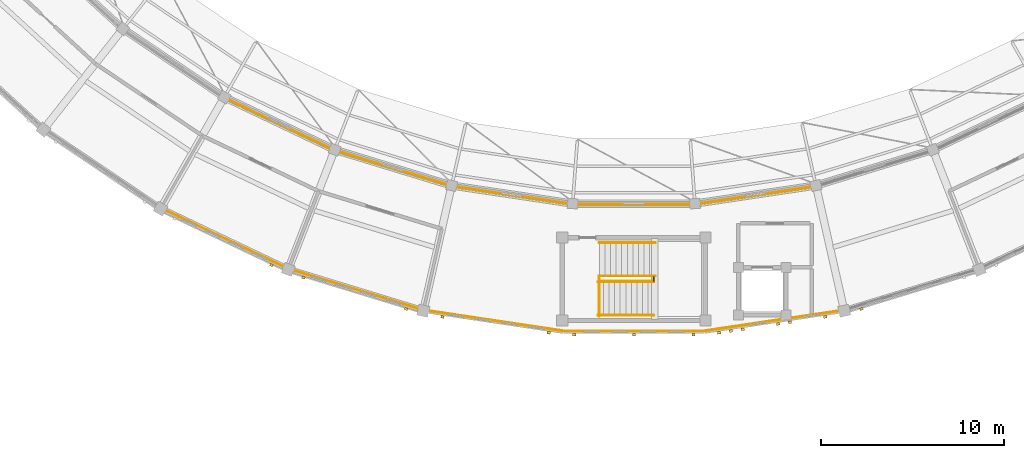
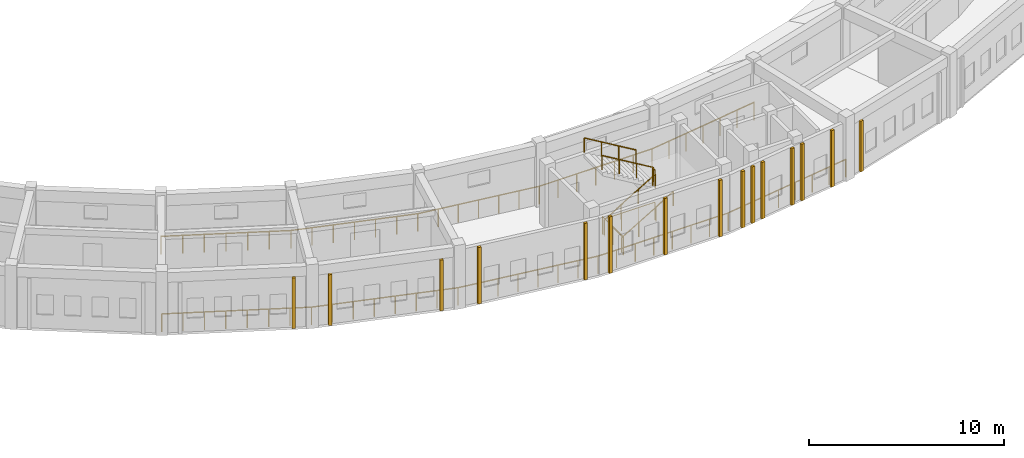
# One storey, part 100 of 112: 17 railings, 15 coverings.
"""IFC4 building model written with IfcOpenShell, lengths in metres."""

from ifc_helpers import new_model, si_unit, direction, frame, origin, origin_2d, place, context, subcontext, project, spatial, rectangle, circle, extrude, material, layer, layer_set, type_object, element, save


model = new_model("IFC4")

# Units and contexts
model_context = context("Model", 3, precision=1e-05, world=origin(), true_north=direction((0.0, 1.0)))
body_context = subcontext(model_context, "Body", "Model", "MODEL_VIEW")
ifc_project = project(units=[si_unit("LENGTHUNIT", "METRE"), si_unit("AREAUNIT", "SQUARE_METRE"), si_unit("VOLUMEUNIT", "CUBIC_METRE"), si_unit("PLANEANGLEUNIT", "RADIAN"), si_unit("MASSUNIT", "GRAM", prefix="KILO")], contexts=[model_context])

# Site, building, storey
site_placement = place(None, origin())
site = spatial("IfcSite", under=ifc_project, at=site_placement, CompositionType="ELEMENT")
building_placement = place(site_placement, origin())
building = spatial("IfcBuilding", under=site, at=building_placement, Name="Celadon Cloister-Ring School", CompositionType="ELEMENT")
storey_placement = place(building_placement, frame((0.0, 0.0, 8.5)))
storey = spatial("IfcBuildingStorey", under=building, at=storey_placement, Name="L02", CompositionType="ELEMENT", Elevation=8.5)

# Coverings
ifc_material_1 = material(Name="Perforated terracotta clay brick masonry", Category="masonry")
ifc_layer = layer(ifc_material_1, 0.139892578125)
ifc_layer_set = layer_set([ifc_layer], Name="Perforated terracotta clay brick masonry")
covering_type = type_object("IfcCoveringType", Name="CV-SC1", PredefinedType="CLADDING", material=ifc_layer_set)
for number, where, z_axis, x_axis, name in (
    (1, (67.2490234375, 10.77099609375, 0.0), (0.0, 0.0, 1.0), (-0.902682940986, 0.430306295624, 0.0), "Brick Screen Rib 0268"),
    (2, (74.591064453125, 8.383056640625, 0.0), (0.0, 0.0, 1.0), (-0.956371068383, 0.292154718533, 0.0), "Brick Screen Rib 0270"),
    (3, (68.99609375, 10.092041015625, 0.0), (0.0, 0.0, 1.0), (-0.956371068383, 0.292154718533, 0.0), "Brick Screen Rib 0271"),
):
    element("IfcCovering", number, at=place(storey_placement, frame(where, z_axis=z_axis, x_axis=x_axis)), inside=storey, type_object=covering_type, Name=name, PredefinedType="CLADDING", context=body_context, shape_type="SweptSolid", body=[
        extrude(rectangle(XDim=0.179931640625, YDim=0.139892578125, at=origin_2d()), origin(), (0.0, 0.0, 1.0), 3.172119140625),
    ])
for number, where, z_axis, x_axis, name in (
    (4, (82.35888671875, 7.08203125, 0.0), (0.0, 0.0, 1.0), (-0.9890287584, 0.147723102651, 0.0), "Brick Screen Rib 0272"),
    (5, (76.572998046875, 7.946044921875, 0.0), (0.0, 0.0, 1.0), (-0.9890287584, 0.147723102651, 0.0), "Brick Screen Rib 0273"),
    (6, (90.259033203125, 6.966064453125, 0.0), (0.0, 0.0, 1.0), (-1.0, 0.0, 0.0), "Brick Screen Rib 0274"),
    (7, (87.009033203125, 6.966064453125, 0.0), (0.0, 0.0, 1.0), (-1.0, 0.0, 0.0), "Brick Screen Rib 0275"),
    (8, (83.759033203125, 6.966064453125, 0.0), (0.0, 0.0, 1.0), (-1.0, 0.0, 0.0), "Brick Screen Rib 0276"),
    (9, (97.43603515625, 7.947021484375, 0.0), (0.0, 0.0, 1.0), (-0.989033914307, -0.147688578945, 0.0), "Brick Screen Rib 0277"),
    (10, (95.507080078125, 7.658935546875, 0.0), (0.0, 0.0, 1.0), (-0.989033914307, -0.147688578945, 0.0), "Brick Screen Rib 0278"),
    (11, (94.864013671875, 7.56298828125, 0.0), (0.0, 0.0, 1.0), (-0.989033914307, -0.147688578945, 0.0), "Brick Screen Rib 0279"),
    (12, (92.93505859375, 7.27490234375, 0.0), (0.0, 0.0, 1.0), (-0.989033914307, -0.147688578945, 0.0), "Brick Screen Rib 0280"),
    (13, (92.29296875, 7.178955078125, 0.0), (0.0, 0.0, 1.0), (-0.989033914307, -0.147688578945, 0.0), "Brick Screen Rib 0281"),
    (14, (91.64990234375, 7.0830078125, 0.0), (0.0, 0.0, 1.0), (-0.989033914307, -0.147688578945, 0.0), "Brick Screen Rib 0282"),
):
    element("IfcCovering", number, at=place(storey_placement, frame(where, z_axis=z_axis, x_axis=x_axis)), inside=storey, type_object=covering_type, Name=name, PredefinedType="CLADDING", context=body_context, shape_type="SweptSolid", body=[
        extrude(rectangle(XDim=0.179931640625, YDim=0.139892578125, at=origin_2d()), origin(), (0.0, 0.0, 1.0), 3.530029296875),
    ])
covering_placement = place(storey_placement, frame((99.408935546875, 8.383056640625, 0.0), z_axis=(0.0, 0.0, 1.0), x_axis=(-0.956371068383, -0.292154718533, 0.0)))
element("IfcCovering", 15, at=covering_placement, inside=storey, type_object=covering_type, Name="Brick Screen Rib 0284", PredefinedType="CLADDING", context=body_context, shape_type="SweptSolid", body=[
    extrude(rectangle(XDim=0.179931640625, YDim=0.139892578125, at=origin_2d()), origin(), (0.0, 0.0, 1.0), 3.172119140625),
])

# Railings
ifc_material_2 = material(Name="Structural steel S355JR", Category="steel")
railing_type_1 = type_object("IfcRailingType", Name="RL-BL1", PredefinedType="BALUSTRADE", material=ifc_material_2)
railing_1_placement = place(storey_placement, frame((61.22802734375, 13.882080078125, 0.0)))
element("IfcRailing", 16, at=railing_1_placement, inside=storey, type_object=railing_type_1, Name="Terrace Balustrade 0087", PredefinedType="BALUSTRADE", context=body_context, shape_type="SweptSolid", body=[
    extrude(circle(Radius=0.02392578125, at=origin_2d()), frame((0.0, 0.0, 1.09619140625), z_axis=(0.902686900331, -0.430297989736, 0.0), x_axis=(0.430297989736, 0.902686900331, 0.0)), (0.0, 0.0, 1.0), 7.697021484375),
    extrude(circle(Radius=0.02099609375, at=origin_2d()), origin(), (0.0, 0.0, 1.0), 1.072021484375),
    extrude(circle(Radius=0.02099609375, at=origin_2d()), frame((0.99267578125, -0.47314453125, 0.0)), (0.0, 0.0, 1.0), 1.072021484375),
    extrude(circle(Radius=0.02099609375, at=origin_2d()), frame((1.985107421875, -0.9462890625, 0.0)), (0.0, 0.0, 1.0), 1.072021484375),
    extrude(circle(Radius=0.02099609375, at=origin_2d()), frame((2.977783203125, -1.41943359375, 0.0)), (0.0, 0.0, 1.0), 1.072021484375),
    extrude(circle(Radius=0.02099609375, at=origin_2d()), frame((3.97021484375, -1.892578125, 0.0)), (0.0, 0.0, 1.0), 1.072021484375),
    extrude(circle(Radius=0.02099609375, at=origin_2d()), frame((4.962890625, -2.36572265625, 0.0)), (0.0, 0.0, 1.0), 1.072021484375),
    extrude(circle(Radius=0.02099609375, at=origin_2d()), frame((5.955322265625, -2.8388671875, 0.0)), (0.0, 0.0, 1.0), 1.072021484375),
    extrude(circle(Radius=0.02099609375, at=origin_2d()), frame((6.947998046875, -3.31201171875, 0.0)), (0.0, 0.0, 1.0), 1.072021484375),
])
railing_2_placement = place(storey_placement, frame((68.176025390625, 10.570068359375, 0.0)))
element("IfcRailing", 17, at=railing_2_placement, inside=storey, type_object=railing_type_1, Name="Terrace Balustrade 0088", PredefinedType="BALUSTRADE", context=body_context, shape_type="SweptSolid", body=[
    extrude(circle(Radius=0.02392578125, at=origin_2d()), frame((0.0, 0.0, 1.09619140625), z_axis=(0.95633408974, -0.29227574104, 0.0), x_axis=(0.29227574104, 0.95633408974, 0.0)), (0.0, 0.0, 1.0), 7.6982421875),
    extrude(circle(Radius=0.02099609375, at=origin_2d()), origin(), (0.0, 0.0, 1.0), 1.072021484375),
    extrude(circle(Radius=0.02099609375, at=origin_2d()), frame((1.0517578125, -0.321533203125, 0.0)), (0.0, 0.0, 1.0), 1.072021484375),
    extrude(circle(Radius=0.02099609375, at=origin_2d()), frame((2.103515625, -0.642822265625, 0.0)), (0.0, 0.0, 1.0), 1.072021484375),
    extrude(circle(Radius=0.02099609375, at=origin_2d()), frame((3.1552734375, -0.96435546875, 0.0)), (0.0, 0.0, 1.0), 1.072021484375),
    extrude(circle(Radius=0.02099609375, at=origin_2d()), frame((4.206787109375, -1.28564453125, 0.0)), (0.0, 0.0, 1.0), 1.072021484375),
    extrude(circle(Radius=0.02099609375, at=origin_2d()), frame((5.258544921875, -1.607177734375, 0.0)), (0.0, 0.0, 1.0), 1.072021484375),
    extrude(circle(Radius=0.02099609375, at=origin_2d()), frame((6.310302734375, -1.928466796875, 0.0)), (0.0, 0.0, 1.0), 1.072021484375),
    extrude(circle(Radius=0.02099609375, at=origin_2d()), frame((7.362060546875, -2.25, 0.0)), (0.0, 0.0, 1.0), 1.072021484375),
])
railing_3_placement = place(storey_placement, frame((75.5380859375, 8.320068359375, 0.0)))
element("IfcRailing", 18, at=railing_3_placement, inside=storey, type_object=railing_type_1, Name="Terrace Balustrade 0089", PredefinedType="BALUSTRADE", context=body_context, shape_type="SweptSolid", body=[
    extrude(circle(Radius=0.02392578125, at=origin_2d()), frame((0.0, 0.0, 1.09619140625), z_axis=(0.989030608427, -0.147710715908, 0.0), x_axis=(0.147710715908, 0.989030608427, 0.0)), (0.0, 0.0, 1.0), 7.697265625),
    extrude(circle(Radius=0.02099609375, at=origin_2d()), origin(), (0.0, 0.0, 1.0), 1.072021484375),
    extrude(circle(Radius=0.02099609375, at=origin_2d()), frame((1.087646484375, -0.162353515625, 0.0)), (0.0, 0.0, 1.0), 1.072021484375),
    extrude(circle(Radius=0.02099609375, at=origin_2d()), frame((2.175048828125, -0.324951171875, 0.0)), (0.0, 0.0, 1.0), 1.072021484375),
    extrude(circle(Radius=0.02099609375, at=origin_2d()), frame((3.2626953125, -0.4873046875, 0.0)), (0.0, 0.0, 1.0), 1.072021484375),
    extrude(circle(Radius=0.02099609375, at=origin_2d()), frame((4.35009765625, -0.649658203125, 0.0)), (0.0, 0.0, 1.0), 1.072021484375),
    extrude(circle(Radius=0.02099609375, at=origin_2d()), frame((5.437744140625, -0.81201171875, 0.0)), (0.0, 0.0, 1.0), 1.072021484375),
    extrude(circle(Radius=0.02099609375, at=origin_2d()), frame((6.525146484375, -0.974609375, 0.0)), (0.0, 0.0, 1.0), 1.072021484375),
    extrude(circle(Radius=0.02099609375, at=origin_2d()), frame((7.61279296875, -1.136962890625, 0.0)), (0.0, 0.0, 1.0), 1.072021484375),
])
railing_4_placement = place(storey_placement, frame((83.15087890625, 7.18310546875, 0.0)))
element("IfcRailing", 19, at=railing_4_placement, inside=storey, type_object=railing_type_1, Name="Terrace Balustrade 0090", PredefinedType="BALUSTRADE", context=body_context, shape_type="SweptSolid", body=[
    extrude(circle(Radius=0.02392578125, at=origin_2d()), frame((0.0, 0.0, 1.09619140625), z_axis=(1.0, 0.0, 0.0), x_axis=(0.0, 1.0, 0.0)), (0.0, 0.0, 1.0), 7.6982421875),
    extrude(circle(Radius=0.02099609375, at=origin_2d()), origin(), (0.0, 0.0, 1.0), 1.072021484375),
    extrude(circle(Radius=0.02099609375, at=origin_2d()), frame((1.099853515625, 0.0, 0.0)), (0.0, 0.0, 1.0), 1.072021484375),
    extrude(circle(Radius=0.02099609375, at=origin_2d()), frame((2.199462890625, 0.0, 0.0)), (0.0, 0.0, 1.0), 1.072021484375),
    extrude(circle(Radius=0.02099609375, at=origin_2d()), frame((3.29931640625, 0.0, 0.0)), (0.0, 0.0, 1.0), 1.072021484375),
    extrude(circle(Radius=0.02099609375, at=origin_2d()), frame((4.39892578125, 0.0, 0.0)), (0.0, 0.0, 1.0), 1.072021484375),
    extrude(circle(Radius=0.02099609375, at=origin_2d()), frame((5.498779296875, 0.0, 0.0)), (0.0, 0.0, 1.0), 1.072021484375),
    extrude(circle(Radius=0.02099609375, at=origin_2d()), frame((6.598388671875, 0.0, 0.0)), (0.0, 0.0, 1.0), 1.072021484375),
    extrude(circle(Radius=0.02099609375, at=origin_2d()), frame((7.6982421875, 0.0, 0.0)), (0.0, 0.0, 1.0), 1.072021484375),
])
railing_5_placement = place(storey_placement, frame((90.84912109375, 7.18310546875, 0.0)))
element("IfcRailing", 20, at=railing_5_placement, inside=storey, type_object=railing_type_1, Name="Terrace Balustrade 0091", PredefinedType="BALUSTRADE", context=body_context, shape_type="SweptSolid", body=[
    extrude(circle(Radius=0.02392578125, at=origin_2d()), frame((0.0, 0.0, 1.09619140625), z_axis=(0.989030608427, 0.147710715908, 0.0), x_axis=(-0.147710715908, 0.989030608427, 0.0)), (0.0, 0.0, 1.0), 7.697265625),
    extrude(circle(Radius=0.02099609375, at=origin_2d()), origin(), (0.0, 0.0, 1.0), 1.072021484375),
    extrude(circle(Radius=0.02099609375, at=origin_2d()), frame((1.087646484375, 0.162353515625, 0.0)), (0.0, 0.0, 1.0), 1.072021484375),
    extrude(circle(Radius=0.02099609375, at=origin_2d()), frame((2.175048828125, 0.324951171875, 0.0)), (0.0, 0.0, 1.0), 1.072021484375),
    extrude(circle(Radius=0.02099609375, at=origin_2d()), frame((3.2626953125, 0.4873046875, 0.0)), (0.0, 0.0, 1.0), 1.072021484375),
    extrude(circle(Radius=0.02099609375, at=origin_2d()), frame((4.35009765625, 0.649658203125, 0.0)), (0.0, 0.0, 1.0), 1.072021484375),
    extrude(circle(Radius=0.02099609375, at=origin_2d()), frame((5.437744140625, 0.81201171875, 0.0)), (0.0, 0.0, 1.0), 1.072021484375),
    extrude(circle(Radius=0.02099609375, at=origin_2d()), frame((6.525146484375, 0.974609375, 0.0)), (0.0, 0.0, 1.0), 1.072021484375),
    extrude(circle(Radius=0.02099609375, at=origin_2d()), frame((7.61279296875, 1.136962890625, 0.0)), (0.0, 0.0, 1.0), 1.072021484375),
])
railing_6_placement = place(storey_placement, frame((64.659912109375, 19.89111328125, 0.0)))
element("IfcRailing", 21, at=railing_6_placement, inside=storey, type_object=railing_type_1, Name="Terrace Balustrade 0122", PredefinedType="BALUSTRADE", context=body_context, shape_type="SweptSolid", body=[
    extrude(circle(Radius=0.02392578125, at=origin_2d()), frame((0.0, 0.0, 1.09619140625), z_axis=(0.90269136782, -0.430288617631, 0.0), x_axis=(0.430288617631, 0.90269136782, 0.0)), (0.0, 0.0, 1.0), 6.67236328125),
    extrude(circle(Radius=0.02099609375, at=origin_2d()), origin(), (0.0, 0.0, 1.0), 1.072021484375),
    extrude(circle(Radius=0.02099609375, at=origin_2d()), frame((1.00390625, -0.478515625, 0.0)), (0.0, 0.0, 1.0), 1.072021484375),
    extrude(circle(Radius=0.02099609375, at=origin_2d()), frame((2.0078125, -0.95703125, 0.0)), (0.0, 0.0, 1.0), 1.072021484375),
    extrude(circle(Radius=0.02099609375, at=origin_2d()), frame((3.01171875, -1.435546875, 0.0)), (0.0, 0.0, 1.0), 1.072021484375),
    extrude(circle(Radius=0.02099609375, at=origin_2d()), frame((4.015380859375, -1.9140625, 0.0)), (0.0, 0.0, 1.0), 1.072021484375),
    extrude(circle(Radius=0.02099609375, at=origin_2d()), frame((5.019287109375, -2.392578125, 0.0)), (0.0, 0.0, 1.0), 1.072021484375),
    extrude(circle(Radius=0.02099609375, at=origin_2d()), frame((6.023193359375, -2.87109375, 0.0)), (0.0, 0.0, 1.0), 1.072021484375),
])
railing_7_placement = place(storey_placement, frame((70.68310546875, 17.02001953125, 0.0)))
element("IfcRailing", 22, at=railing_7_placement, inside=storey, type_object=railing_type_1, Name="Terrace Balustrade 0123", PredefinedType="BALUSTRADE", context=body_context, shape_type="SweptSolid", body=[
    extrude(circle(Radius=0.02392578125, at=origin_2d()), frame((0.0, 0.0, 1.09619140625), z_axis=(0.956341344622, -0.292252001817, 0.0), x_axis=(0.292252001817, 0.956341344622, 0.0)), (0.0, 0.0, 1.0), 6.672119140625),
    extrude(circle(Radius=0.02099609375, at=origin_2d()), origin(), (0.0, 0.0, 1.0), 1.072021484375),
    extrude(circle(Radius=0.02099609375, at=origin_2d()), frame((1.0634765625, -0.324951171875, 0.0)), (0.0, 0.0, 1.0), 1.072021484375),
    extrude(circle(Radius=0.02099609375, at=origin_2d()), frame((2.126953125, -0.64990234375, 0.0)), (0.0, 0.0, 1.0), 1.072021484375),
    extrude(circle(Radius=0.02099609375, at=origin_2d()), frame((3.1904296875, -0.97509765625, 0.0)), (0.0, 0.0, 1.0), 1.072021484375),
    extrude(circle(Radius=0.02099609375, at=origin_2d()), frame((4.25390625, -1.300048828125, 0.0)), (0.0, 0.0, 1.0), 1.072021484375),
    extrude(circle(Radius=0.02099609375, at=origin_2d()), frame((5.3173828125, -1.625, 0.0)), (0.0, 0.0, 1.0), 1.072021484375),
    extrude(circle(Radius=0.02099609375, at=origin_2d()), frame((6.380859375, -1.949951171875, 0.0)), (0.0, 0.0, 1.0), 1.072021484375),
])
railing_8_placement = place(storey_placement, frame((77.06396484375, 15.070068359375, 0.0)))
element("IfcRailing", 23, at=railing_8_placement, inside=storey, type_object=railing_type_1, Name="Terrace Balustrade 0124", PredefinedType="BALUSTRADE", context=body_context, shape_type="SweptSolid", body=[
    extrude(circle(Radius=0.02392578125, at=origin_2d()), frame((0.0, 0.0, 1.09619140625), z_axis=(0.989022592255, -0.147764380044, 0.0), x_axis=(0.147764380044, 0.989022592255, 0.0)), (0.0, 0.0, 1.0), 6.67333984375),
    extrude(circle(Radius=0.02099609375, at=origin_2d()), origin(), (0.0, 0.0, 1.0), 1.072021484375),
    extrude(circle(Radius=0.02099609375, at=origin_2d()), frame((1.10009765625, -0.164306640625, 0.0)), (0.0, 0.0, 1.0), 1.072021484375),
    extrude(circle(Radius=0.02099609375, at=origin_2d()), frame((2.199951171875, -0.32861328125, 0.0)), (0.0, 0.0, 1.0), 1.072021484375),
    extrude(circle(Radius=0.02099609375, at=origin_2d()), frame((3.300048828125, -0.4931640625, 0.0)), (0.0, 0.0, 1.0), 1.072021484375),
    extrude(circle(Radius=0.02099609375, at=origin_2d()), frame((4.400146484375, -0.657470703125, 0.0)), (0.0, 0.0, 1.0), 1.072021484375),
    extrude(circle(Radius=0.02099609375, at=origin_2d()), frame((5.5, -0.82177734375, 0.0)), (0.0, 0.0, 1.0), 1.072021484375),
    extrude(circle(Radius=0.02099609375, at=origin_2d()), frame((6.60009765625, -0.986083984375, 0.0)), (0.0, 0.0, 1.0), 1.072021484375),
])
railing_9_placement = place(storey_placement, frame((83.6640625, 14.083984375, 0.0)))
element("IfcRailing", 24, at=railing_9_placement, inside=storey, type_object=railing_type_1, Name="Terrace Balustrade 0125", PredefinedType="BALUSTRADE", context=body_context, shape_type="SweptSolid", body=[
    extrude(circle(Radius=0.02392578125, at=origin_2d()), frame((0.0, 0.0, 1.09619140625), z_axis=(1.0, 0.0, 0.0), x_axis=(0.0, 1.0, 0.0)), (0.0, 0.0, 1.0), 6.671875),
    extrude(circle(Radius=0.02099609375, at=origin_2d()), origin(), (0.0, 0.0, 1.0), 1.072021484375),
    extrude(circle(Radius=0.02099609375, at=origin_2d()), frame((1.112060546875, 0.0, 0.0)), (0.0, 0.0, 1.0), 1.072021484375),
    extrude(circle(Radius=0.02099609375, at=origin_2d()), frame((2.223876953125, 0.0, 0.0)), (0.0, 0.0, 1.0), 1.072021484375),
    extrude(circle(Radius=0.02099609375, at=origin_2d()), frame((3.3359375, 0.0, 0.0)), (0.0, 0.0, 1.0), 1.072021484375),
    extrude(circle(Radius=0.02099609375, at=origin_2d()), frame((4.447998046875, 0.0, 0.0)), (0.0, 0.0, 1.0), 1.072021484375),
    extrude(circle(Radius=0.02099609375, at=origin_2d()), frame((5.559814453125, 0.0, 0.0)), (0.0, 0.0, 1.0), 1.072021484375),
    extrude(circle(Radius=0.02099609375, at=origin_2d()), frame((6.671875, 0.0, 0.0)), (0.0, 0.0, 1.0), 1.072021484375),
])
railing_10_placement = place(storey_placement, frame((90.3359375, 14.083984375, 0.0)))
element("IfcRailing", 25, at=railing_10_placement, inside=storey, type_object=railing_type_1, Name="Terrace Balustrade 0126", PredefinedType="BALUSTRADE", context=body_context, shape_type="SweptSolid", body=[
    extrude(circle(Radius=0.02392578125, at=origin_2d()), frame((0.0, 0.0, 1.09619140625), z_axis=(0.989022592255, 0.147764380044, 0.0), x_axis=(-0.147764380044, 0.989022592255, 0.0)), (0.0, 0.0, 1.0), 6.67333984375),
    extrude(circle(Radius=0.02099609375, at=origin_2d()), origin(), (0.0, 0.0, 1.0), 1.072021484375),
    extrude(circle(Radius=0.02099609375, at=origin_2d()), frame((1.10009765625, 0.164306640625, 0.0)), (0.0, 0.0, 1.0), 1.072021484375),
    extrude(circle(Radius=0.02099609375, at=origin_2d()), frame((2.199951171875, 0.32861328125, 0.0)), (0.0, 0.0, 1.0), 1.072021484375),
    extrude(circle(Radius=0.02099609375, at=origin_2d()), frame((3.300048828125, 0.4931640625, 0.0)), (0.0, 0.0, 1.0), 1.072021484375),
    extrude(circle(Radius=0.02099609375, at=origin_2d()), frame((4.400146484375, 0.657470703125, 0.0)), (0.0, 0.0, 1.0), 1.072021484375),
    extrude(circle(Radius=0.02099609375, at=origin_2d()), frame((5.5, 0.82177734375, 0.0)), (0.0, 0.0, 1.0), 1.072021484375),
    extrude(circle(Radius=0.02099609375, at=origin_2d()), frame((6.60009765625, 0.986083984375, 0.0)), (0.0, 0.0, 1.0), 1.072021484375),
])
ifc_material_3 = material(Name="Structural steel S355JR", Category="steel")
railing_type_2 = type_object("IfcRailingType", Name="RL-BL2", PredefinedType="BALUSTRADE", material=ifc_material_3)
railing_11_placement = place(storey_placement, frame((88.090087890625, 9.889892578125, 2.0)))
element("IfcRailing", 26, at=railing_11_placement, inside=storey, type_object=railing_type_2, Name="Interior Guard 0227", PredefinedType="BALUSTRADE", context=body_context, shape_type="SweptSolid", body=[
    extrude(circle(Radius=0.02392578125, at=origin_2d()), frame((0.0, 0.0, 1.09619140625), z_axis=(0.0, 1.0, 0.0), x_axis=(-1.0, 0.0, 0.0)), (0.0, 0.0, 1.0), 0.239990234375),
    extrude(circle(Radius=0.02099609375, at=origin_2d()), origin(), (0.0, 0.0, 1.0), 1.072021484375),
    extrude(circle(Radius=0.02099609375, at=origin_2d()), frame((0.0, 0.239990234375, 0.0)), (0.0, 0.0, 1.0), 1.072021484375),
])
railing_12_placement = place(storey_placement, frame((85.1201171875, 7.989990234375, 0.0)))
element("IfcRailing", 27, at=railing_12_placement, inside=storey, type_object=railing_type_2, Name="Interior Guard 0228", PredefinedType="BALUSTRADE", context=body_context, shape_type="SweptSolid", body=[
    extrude(circle(Radius=0.02392578125, at=origin_2d()), frame((0.0, 0.0, 1.09619140625), z_axis=(0.0, 1.0, 0.0), x_axis=(-1.0, 0.0, 0.0)), (0.0, 0.0, 1.0), 2.139892578125),
    extrude(circle(Radius=0.02099609375, at=origin_2d()), origin(), (0.0, 0.0, 1.0), 1.072021484375),
    extrude(circle(Radius=0.02099609375, at=origin_2d()), frame((0.0, 1.06982421875, 0.0)), (0.0, 0.0, 1.0), 1.072021484375),
    extrude(circle(Radius=0.02099609375, at=origin_2d()), frame((0.0, 2.139892578125, 0.0)), (0.0, 0.0, 1.0), 1.072021484375),
])
railing_13_placement = place(storey_placement, frame((85.1201171875, 9.889892578125, 0.0)))
element("IfcRailing", 28, at=railing_13_placement, inside=storey, type_object=railing_type_2, Name="Interior Guard 0229", PredefinedType="BALUSTRADE", context=body_context, shape_type="SweptSolid", body=[
    extrude(circle(Radius=0.02392578125, at=origin_2d()), frame((0.0, 0.0, 1.09619140625), z_axis=(1.0, 0.0, 0.0), x_axis=(0.0, 1.0, 0.0)), (0.0, 0.0, 1.0), 2.969970703125),
    extrude(circle(Radius=0.02099609375, at=origin_2d()), origin(), (0.0, 0.0, 1.0), 1.072021484375),
    extrude(circle(Radius=0.02099609375, at=origin_2d()), frame((0.989990234375, 0.0, 0.0)), (0.0, 0.0, 1.0), 1.072021484375),
    extrude(circle(Radius=0.02099609375, at=origin_2d()), frame((1.97998046875, 0.0, 0.0)), (0.0, 0.0, 1.0), 1.072021484375),
    extrude(circle(Radius=0.02099609375, at=origin_2d()), frame((2.969970703125, 0.0, 0.0)), (0.0, 0.0, 1.0), 1.072021484375),
])
ifc_material_4 = material(Name="Structural steel S355JR", Category="steel")
railing_type_3 = type_object("IfcRailingType", Name="RL-HR1", PredefinedType="HANDRAIL", material=ifc_material_4)
for number, where, name in (
    (29, (85.0400390625, 8.034912109375, 0.181884765625), "Stair Handrail 0223"),
    (30, (85.0400390625, 9.844970703125, 0.181884765625), "Stair Handrail 0224"),
):
    element("IfcRailing", number, at=place(storey_placement, frame(where)), inside=storey, type_object=railing_type_3, Name=name, PredefinedType="HANDRAIL", context=body_context, shape_type="SweptSolid", body=[
        extrude(circle(Radius=0.02099609375, at=origin_2d()), frame((0.0, 0.0, 0.87890625), z_axis=(0.858969654429, 0.0, 0.51202649616), x_axis=(0.0, 1.0, 0.0)), (0.0, 0.0, 1.0), 3.55078125),
        extrude(circle(Radius=0.01806640625, at=origin_2d()), origin(), (0.0, 0.0, 1.0), 0.85791015625),
        extrude(circle(Radius=0.01806640625, at=origin_2d()), frame((1.0166015625, 0.0, 0.60595703125)), (0.0, 0.0, 1.0), 0.85791015625),
        extrude(circle(Radius=0.01806640625, at=origin_2d()), frame((2.033447265625, 0.0, 1.212158203125)), (0.0, 0.0, 1.0), 0.85791015625),
        extrude(circle(Radius=0.01806640625, at=origin_2d()), frame((3.050048828125, 0.0, 1.818115234375)), (0.0, 0.0, 1.0), 0.85791015625),
    ])
for number, where, name in (
    (31, (88.169921875, 11.985107421875, 2.181884765625), "Stair Handrail 0225"),
    (32, (88.169921875, 10.175048828125, 2.181884765625), "Stair Handrail 0226"),
):
    element("IfcRailing", number, at=place(storey_placement, frame(where)), inside=storey, type_object=railing_type_3, Name=name, PredefinedType="HANDRAIL", context=body_context, shape_type="SweptSolid", body=[
        extrude(circle(Radius=0.02099609375, at=origin_2d()), frame((0.0, 0.0, 0.87890625), z_axis=(-0.858951626974, 0.0, 0.512056737598), x_axis=(0.0, -1.0, 0.0)), (0.0, 0.0, 1.0), 3.550537109375),
        extrude(circle(Radius=0.01806640625, at=origin_2d()), origin(), (0.0, 0.0, 1.0), 0.85791015625),
        extrude(circle(Radius=0.01806640625, at=origin_2d()), frame((-1.0166015625, 0.0, 0.60595703125)), (0.0, 0.0, 1.0), 0.85791015625),
        extrude(circle(Radius=0.01806640625, at=origin_2d()), frame((-2.033203125, 0.0, 1.212158203125)), (0.0, 0.0, 1.0), 0.85791015625),
        extrude(circle(Radius=0.01806640625, at=origin_2d()), frame((-3.0498046875, 0.0, 1.818115234375)), (0.0, 0.0, 1.0), 0.85791015625),
    ])

save(model, "model.ifc")
